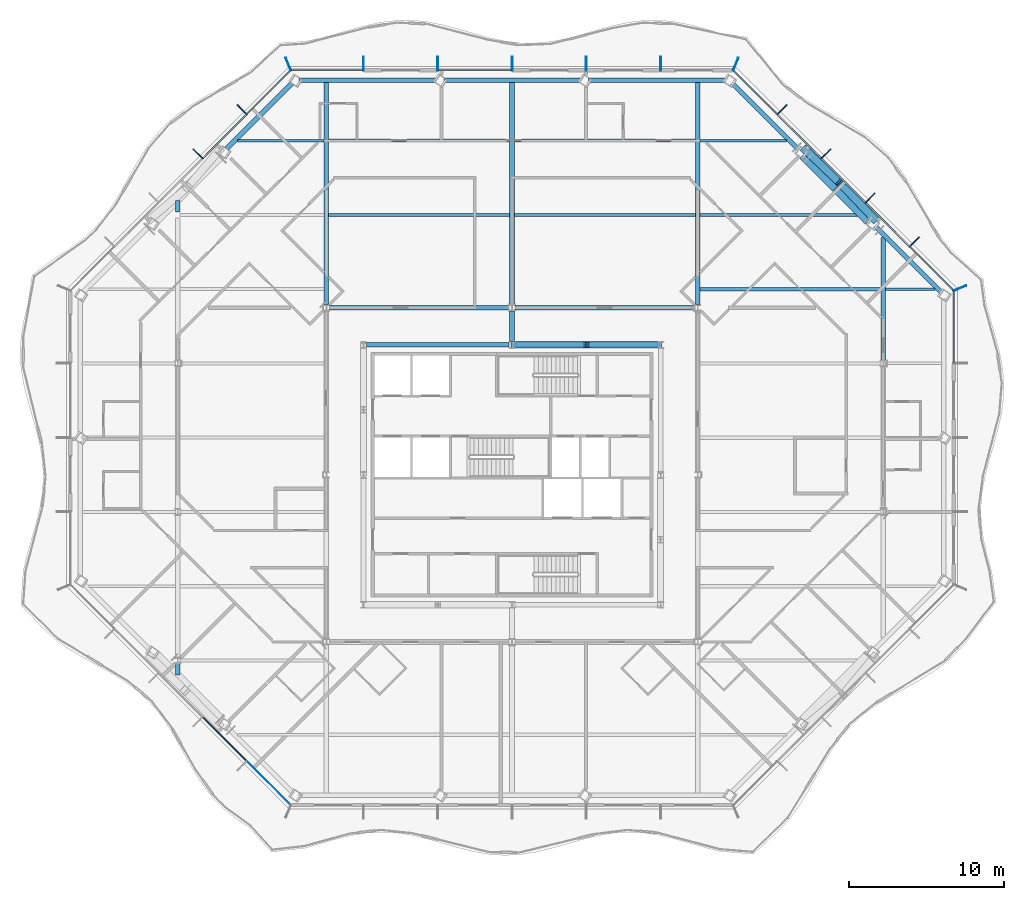
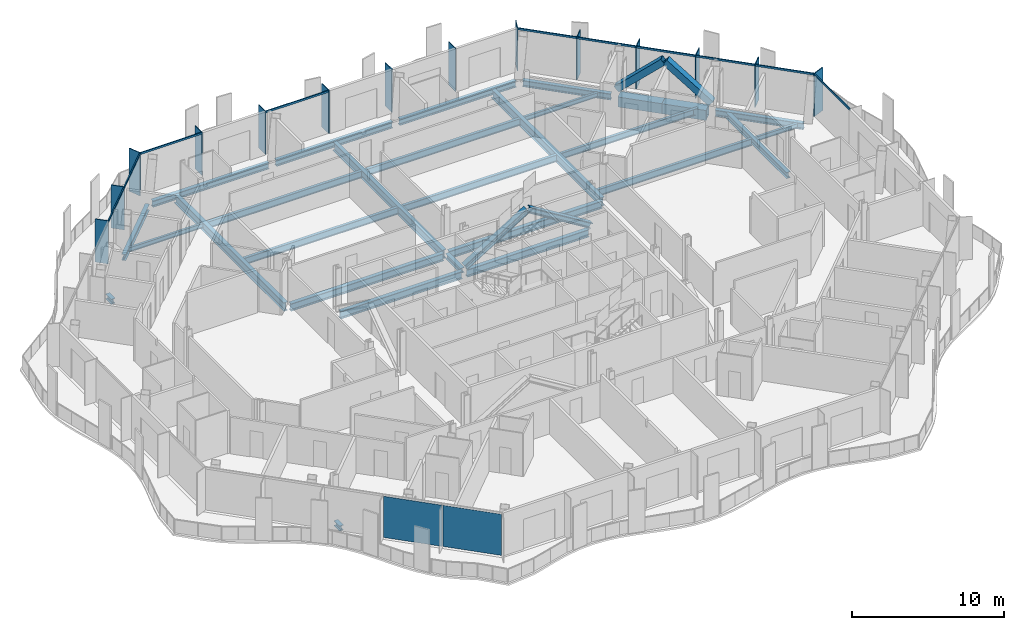
# One storey, part 5 of 21: 28 beams, 28 members, 2 plates, 5 elements without a shape of their own.
"""IFC4 building model written with IfcOpenShell, lengths in metres."""

import ifcopenshell
import ifcopenshell.guid

model = None  # the IFC model being written
_history = None  # IfcOwnerHistory: only IFC2X3 demands one
_inside = {}  # id of a spatial element -> (the spatial element, [elements in it])
_under = {}  # id of a project, library or spatial element -> (it, [spatial elements below it])
_declared = {}  # id of a project -> (the project, [libraries it declares])
_typed = {}  # id of a type object -> (the type object, [elements of that type])
_made_of = {}  # id of a material, layer set ... -> (it, [elements and type objects made of it])


def new_model(schema):
    """Start an empty IFC model of exactly this schema.

    Asked for "IFC4X3", IfcOpenShell would pick the latest addendum, in which some entities
    have other attributes; the version numbers below select the first issue.
    IFC2X3 requires an IfcOwnerHistory on every rooted entity: one is made here for all.
    """
    global model, _history
    if schema == "IFC4X3":
        model = ifcopenshell.file(schema_version=(4, 3, 0, 0))
    else:
        model = ifcopenshell.file(schema=schema)
    _inside.clear()
    _under.clear()
    _declared.clear()
    _typed.clear()
    _made_of.clear()
    _history = None
    if model.schema == "IFC2X3":
        org = make("IfcOrganization", Name="unknown")
        user = make(
            "IfcPersonAndOrganization",
            ThePerson=make("IfcPerson", FamilyName="unknown"),
            TheOrganization=org,
        )
        app = make(
            "IfcApplication",
            ApplicationDeveloper=org,
            Version="unknown",
            ApplicationFullName="unknown",
            ApplicationIdentifier="unknown",
        )
        _history = make(
            "IfcOwnerHistory",
            OwningUser=user,
            OwningApplication=app,
            ChangeAction="ADDED",
            CreationDate=0,
        )
    return model


def make(cls, **values):
    """One entity of the class cls with the attributes given. An attribute that is None is left unset."""
    return model.create_entity(
        cls, **{name: value for name, value in values.items() if value is not None}
    )


def rooted(cls, **values):
    """An entity with a GlobalId (a new one), such as an element, a storey or a relation."""
    return make(cls, GlobalId=ifcopenshell.guid.new(), OwnerHistory=_history, **values)


def si_unit(unit_type, name, prefix=None):
    """IfcSIUnit, for example si_unit("LENGTHUNIT", "METRE", prefix="MILLI")."""
    return make("IfcSIUnit", UnitType=unit_type, Prefix=prefix, Name=name)


def assignment(units):
    """IfcUnitAssignment: the units of a project."""
    return None if units is None else make("IfcUnitAssignment", Units=units)


def point(xyz):
    """IfcCartesianPoint."""
    return None if xyz is None else make("IfcCartesianPoint", Coordinates=xyz)


def direction(xyz):
    """IfcDirection."""
    return None if xyz is None else make("IfcDirection", DirectionRatios=xyz)


def frame(location, z_axis=None, x_axis=None):
    """IfcAxis2Placement3D, a coordinate frame: its origin and axes. An axis left out is left unset."""
    return make(
        "IfcAxis2Placement3D",
        Location=point(location),
        Axis=direction(z_axis),
        RefDirection=direction(x_axis),
    )


def frame_2d(location, x_axis=None):
    """IfcAxis2Placement2D, a coordinate frame in the plane: its origin and x axis."""
    return make(
        "IfcAxis2Placement2D", Location=point(location), RefDirection=direction(x_axis)
    )


def origin():
    """The frame at (0, 0, 0) with its axes left unset."""
    return frame((0.0, 0.0, 0.0))


def origin_2d():
    """The frame at (0, 0) in the plane with its x axis left unset."""
    return frame_2d((0.0, 0.0))


def place(relative_to, where):
    """IfcLocalPlacement: puts the frame where relative to a parent placement (None: the world)."""
    return make(
        "IfcLocalPlacement", PlacementRelTo=relative_to, RelativePlacement=where
    )


def context(
    kind, dimensions, precision=None, world=None, true_north=None, identifier=None
):
    """IfcGeometricRepresentationContext, for example the 3D "Model" context."""
    return make(
        "IfcGeometricRepresentationContext",
        ContextIdentifier=identifier,
        ContextType=kind,
        CoordinateSpaceDimension=dimensions,
        Precision=precision,
        WorldCoordinateSystem=world,
        TrueNorth=true_north,
    )


def subcontext(parent, identifier, kind, view, scale=None):
    """IfcGeometricRepresentationSubContext, for example "Body" below "Model"."""
    return make(
        "IfcGeometricRepresentationSubContext",
        ContextIdentifier=identifier,
        ContextType=kind,
        ParentContext=parent,
        TargetScale=scale,
        TargetView=view,
    )


def project(units=None, contexts=None):
    """IfcProject with its units and contexts."""
    return rooted(
        "IfcProject",
        Name="project",
        RepresentationContexts=contexts,
        UnitsInContext=assignment(units),
    )


def spatial(cls, under=None, at=None, **own):
    """A site, building, storey or space (cls), placed at a placement, below another one or the project."""
    s = rooted(cls, ObjectPlacement=at, **own)
    if under is not None:
        _under.setdefault(under.id(), (under, []))[1].append(s)
    return s


def profile(cls, at=None, kind="AREA", **sizes):
    """A parametric profile (cls). Its sizes go by their IFC names, for example OverallWidth=200.0."""
    return make(cls, ProfileType=kind, Position=at, **sizes)


def rectangle(**sizes):
    """IfcRectangleProfileDef."""
    return profile("IfcRectangleProfileDef", **sizes)


def hollow_rectangle(**sizes):
    """IfcRectangleHollowProfileDef."""
    return profile("IfcRectangleHollowProfileDef", **sizes)


def i_section(**sizes):
    """IfcIShapeProfileDef."""
    return profile("IfcIShapeProfileDef", **sizes)


def extrude(swept, where, along, depth):
    """IfcExtrudedAreaSolid: the profile swept, set in the frame where, extruded along a direction by depth."""
    return make(
        "IfcExtrudedAreaSolid",
        SweptArea=swept,
        Position=where,
        ExtrudedDirection=direction(along),
        Depth=depth,
    )


def shape(context_of_items, identifier, shape_type, items):
    """IfcShapeRepresentation: the items that make up one representation, for example the "Body"."""
    return make(
        "IfcShapeRepresentation",
        ContextOfItems=context_of_items,
        RepresentationIdentifier=identifier,
        RepresentationType=shape_type,
        Items=items,
    )


def material(Name=None, Category=None):
    """IfcMaterial."""
    return make("IfcMaterial", Name=Name, Category=Category)


def layer(
    of_material, thickness, ventilated=None, Name=None, Category=None, Priority=None
):
    """IfcMaterialLayer: one layer of a wall or slab, of a material (None: an air gap)."""
    return make(
        "IfcMaterialLayer",
        Material=of_material,
        LayerThickness=thickness,
        IsVentilated=ventilated,
        Name=Name,
        Category=Category,
        Priority=Priority,
    )


def layer_set(layers, Name=None):
    """IfcMaterialLayerSet."""
    return make("IfcMaterialLayerSet", MaterialLayers=layers, LayerSetName=Name)


def material_profile(
    of_material, cross_section, Name=None, Category=None, Priority=None
):
    """IfcMaterialProfile: a cross section and its material."""
    return make(
        "IfcMaterialProfile",
        Name=Name,
        Material=of_material,
        Profile=cross_section,
        Priority=Priority,
        Category=Category,
    )


def profile_set(profiles, Name=None, composite=None):
    """IfcMaterialProfileSet."""
    return make(
        "IfcMaterialProfileSet",
        Name=Name,
        MaterialProfiles=profiles,
        CompositeProfile=composite,
    )


def made_of(thing, what):
    """Note that an element or type object is made of a material, layer set ...; save() writes the relation."""
    if what is not None:
        _made_of.setdefault(what.id(), (what, []))[1].append(thing)
    return thing


def type_object(cls, material=None, **own):
    """A type object (cls), such as IfcWallType, which elements share."""
    return made_of(rooted(cls, **own), material)


def element(
    cls,
    number,
    at=None,
    inside=None,
    cuts=None,
    type_object=None,
    material=None,
    context=None,
    identifier="Body",
    shape_type=None,
    held_by="IfcProductDefinitionShape",
    body=None,
    shapes=None,
    **own,
):
    """One element of the class cls, such as IfcWall. Its Tag is "e" and its number.

    at: its placement. inside: the storey or other place that contains it. cuts: it is an
    opening in that element (IfcRelVoidsElement). A single representation is given by context,
    identifier, shape_type and body (its items); several are given by shapes. held_by: the class
    of the entity that holds the representations. save() writes the other relations.
    """
    e = rooted(cls, Tag="e%d" % number, ObjectPlacement=at, **own)
    if body is not None:
        shapes = [shape(context, identifier, shape_type, body)]
    if shapes is not None:
        e.Representation = make(held_by, Representations=shapes)
    if inside is not None:
        _inside.setdefault(inside.id(), (inside, []))[1].append(e)
    if cuts is not None:
        rooted(
            "IfcRelVoidsElement", RelatingBuildingElement=cuts, RelatedOpeningElement=e
        )
    if type_object is not None:
        _typed.setdefault(type_object.id(), (type_object, []))[1].append(e)
    return made_of(e, material)


def aggregate(whole, parts):
    """IfcRelAggregates: a whole, such as a stair, and the parts it consists of."""
    return rooted("IfcRelAggregates", RelatingObject=whole, RelatedObjects=parts)


def save(model, path):
    """Write the relations noted so far, then the file.

    IfcRelAggregates (storeys below a building ...), IfcRelContainedInSpatialStructure (elements
    in a storey), IfcRelDefinesByType, IfcRelAssociatesMaterial and IfcRelDeclares: one each for
    every whole, place, type object, material and project.
    """
    for whole, parts in _under.values():
        aggregate(whole, parts)
    for where, things in _inside.values():
        rooted(
            "IfcRelContainedInSpatialStructure",
            RelatedElements=things,
            RelatingStructure=where,
        )
    for kind, things in _typed.values():
        rooted("IfcRelDefinesByType", RelatedObjects=things, RelatingType=kind)
    for what, things in _made_of.values():
        rooted("IfcRelAssociatesMaterial", RelatedObjects=things, RelatingMaterial=what)
    for by, libraries in _declared.values():
        rooted("IfcRelDeclares", RelatingContext=by, RelatedDefinitions=libraries)
    model.write(path)


model = new_model("IFC4")

# Units and contexts
model_context = context("Model", 3, precision=1e-05, world=origin(), true_north=direction((0.0, 1.0)))
body_context = subcontext(model_context, "Body", "Model", "MODEL_VIEW")
ifc_project = project(units=[si_unit("LENGTHUNIT", "METRE"), si_unit("AREAUNIT", "SQUARE_METRE"), si_unit("VOLUMEUNIT", "CUBIC_METRE"), si_unit("PLANEANGLEUNIT", "RADIAN"), si_unit("MASSUNIT", "GRAM", prefix="KILO")], contexts=[model_context])

# Site, building, storey
site_placement = place(None, origin())
site = spatial("IfcSite", under=ifc_project, at=site_placement, CompositionType="ELEMENT")
building_placement = place(site_placement, origin())
building = spatial("IfcBuilding", under=site, at=building_placement, Name="Cairn Pilgrim Tower", CompositionType="ELEMENT")
storey_placement = place(building_placement, frame((0.0, 0.0, 172.199951171875)))
storey = spatial("IfcBuildingStorey", under=building, at=storey_placement, Name="L43", CompositionType="ELEMENT", Elevation=172.199951171875)

# Members
ifc_material_1 = material(Name="Structural steel S460M", Category="steel")
ifc_material_profile_1 = material_profile(ifc_material_1, hollow_rectangle(XDim=0.5, YDim=0.5, WallThickness=0.030029296875, at=origin_2d()), Name="BOX 500x500x30")
ifc_profile_set_1 = profile_set([ifc_material_profile_1], Name="Structural steel S460M")
member_type_1 = type_object("IfcMemberType", Name="BOX 500x500x30 BRACE", PredefinedType="BRACE", material=ifc_profile_set_1)
member_1_placement = place(storey_placement, frame((30.644287109375, 18.896484375, 0.14990234375), z_axis=(-0.523066061626, 0.550268081904, 0.650850930101), x_axis=(-0.724794598877, -0.688965013218, 0.0)))
element("IfcMember", 1, at=member_1_placement, inside=storey, type_object=member_type_1, Name="XB-NE2-NE3-1", PredefinedType="BRACE", context=body_context, shape_type="SweptSolid", body=[
    extrude(hollow_rectangle(XDim=0.5, YDim=0.5, WallThickness=0.030029296875, at=origin_2d()), origin(), (0.0, 0.0, 1.0), 4.155517578125),
])
member_2_placement = place(storey_placement, frame((26.10498046875, 23.447021484375, 0.150390625), z_axis=(0.548688036921, -0.524167309089, 0.651298756503), x_axis=(0.690765051326, 0.723079279102, 0.0)))
element("IfcMember", 2, at=member_2_placement, inside=storey, type_object=member_type_1, Name="XB-NE2-NE3-2", PredefinedType="BRACE", context=body_context, shape_type="SweptSolid", body=[
    extrude(hollow_rectangle(XDim=0.5, YDim=0.5, WallThickness=0.030029296875, at=origin_2d()), origin(), (0.0, 0.0, 1.0), 4.15185546875),
])

# Beams
ifc_material_2 = material(Name="Structural steel S355J2", Category="steel")
ifc_material_profile_2 = material_profile(ifc_material_2, hollow_rectangle(XDim=0.699951171875, YDim=0.800048828125, WallThickness=0.0400390625, at=origin_2d()), Name="BOX 700x800x40")
ifc_profile_set_2 = profile_set([ifc_material_profile_2], Name="Structural steel S355J2")
beam_type_1 = type_object("IfcBeamType", Name="BOX 700x800x40 RING GIRDER", PredefinedType="SPANDREL", material=ifc_profile_set_2)
beam_1_placement = place(storey_placement, frame((30.284912109375, 18.84228515625, -0.550048828125), z_axis=(-0.707106781187, 0.707106781187, 0.0), x_axis=(-0.707106781187, -0.707106781187, 0.0)))
element("IfcBeam", 3, at=beam_1_placement, inside=storey, type_object=beam_type_1, Name="RG2-NE2-NE3-1", PredefinedType="SPANDREL", context=body_context, shape_type="SweptSolid", body=[
    extrude(hollow_rectangle(XDim=0.699951171875, YDim=0.800048828125, WallThickness=0.0400390625, at=origin_2d()), origin(), (0.0, 0.0, 1.0), 3.0),
])
beam_2_placement = place(storey_placement, frame((28.16357421875, 20.963623046875, -0.550048828125), z_axis=(-0.707106781187, 0.707106781187, 0.0), x_axis=(-0.707106781187, -0.707106781187, 0.0)))
element("IfcBeam", 4, at=beam_2_placement, inside=storey, type_object=beam_type_1, Name="RG2-NE2-NE3-2", PredefinedType="SPANDREL", context=body_context, shape_type="SweptSolid", body=[
    extrude(hollow_rectangle(XDim=0.699951171875, YDim=0.800048828125, WallThickness=0.0400390625, at=origin_2d()), origin(), (0.0, 0.0, 1.0), 2.999755859375),
])

# Curtain wall, members
ifc_material_3 = material(Name="Aluminium alloy 6063-T6 bronze anodised with Bronze tinted laminated low-E glass 8+16+8.8", Category="aluminium")
curtain_wall_type_1 = type_object("IfcCurtainWallType", Name="CHAMFER CORNER CURTAIN WALL", PredefinedType="NOTDEFINED", material=ifc_material_3)
curtain_wall_1_placement = place(storey_placement, origin())
curtain_wall_1 = element("IfcCurtainWall", 5, at=curtain_wall_1_placement, inside=storey, type_object=curtain_wall_type_1, Name="Chamfer Corner Curtain Wall NE", PredefinedType="NOTDEFINED")
ifc_material_4 = material(Name="Aluminium alloy 6063-T6 bronze anodised", Category="aluminium")
ifc_material_profile_3 = material_profile(ifc_material_4, rectangle(XDim=0.89990234375, YDim=0.06005859375, at=origin_2d()), Name="FIN MULLION 60x900 BRONZE")
ifc_profile_set_3 = profile_set([ifc_material_profile_3], Name="Aluminium alloy 6063-T6 bronze anodised")
member_type_2 = type_object("IfcMemberType", Name="FIN MULLION 60x900 BRONZE", PredefinedType="MULLION", material=ifc_profile_set_3)
member_3_placement = place(storey_placement, frame((36.137939453125, 14.457275390625, 0.0), z_axis=(0.0, 0.0, 1.0), x_axis=(0.923879532511, 0.382683432365, 0.0)))
member_3 = element("IfcMember", 6, at=member_3_placement, type_object=member_type_2, Name="Fin mullion NE1", PredefinedType="MULLION", context=body_context, shape_type="SweptSolid", body=[
    extrude(rectangle(XDim=0.89990234375, YDim=0.06005859375, at=origin_2d()), origin(), (0.0, 0.0, 1.0), 3.449951171875),
])
member_4_placement = place(storey_placement, frame((33.1962890625, 17.444091796875, 0.0), z_axis=(0.0, 0.0, 1.0), x_axis=(0.707106781187, 0.707106781187, 0.0)))
member_4 = element("IfcMember", 7, at=member_4_placement, type_object=member_type_2, Name="Fin mullion NE2", PredefinedType="MULLION", context=body_context, shape_type="SweptSolid", body=[
    extrude(rectangle(XDim=0.89990234375, YDim=0.06005859375, at=origin_2d()), origin(), (0.0, 0.0, 1.0), 3.449951171875),
])
member_5_placement = place(storey_placement, frame((30.345458984375, 20.294921875, 0.0), z_axis=(0.0, 0.0, 1.0), x_axis=(0.707106781187, 0.707106781187, 0.0)))
member_5 = element("IfcMember", 8, at=member_5_placement, type_object=member_type_2, Name="Fin mullion NE3", PredefinedType="MULLION", context=body_context, shape_type="SweptSolid", body=[
    extrude(rectangle(XDim=0.89990234375, YDim=0.06005859375, at=origin_2d()), origin(), (0.0, 0.0, 1.0), 3.449951171875),
])
member_6_placement = place(storey_placement, frame((27.494873046875, 23.1455078125, 0.0), z_axis=(0.0, 0.0, 1.0), x_axis=(0.707106781187, 0.707106781187, 0.0)))
member_6 = element("IfcMember", 9, at=member_6_placement, type_object=member_type_2, Name="Fin mullion NE4", PredefinedType="MULLION", context=body_context, shape_type="SweptSolid", body=[
    extrude(rectangle(XDim=0.89990234375, YDim=0.06005859375, at=origin_2d()), origin(), (0.0, 0.0, 1.0), 3.449951171875),
])
member_7_placement = place(storey_placement, frame((24.64404296875, 25.996337890625, 0.0), z_axis=(0.0, 0.0, 1.0), x_axis=(0.707106781187, 0.707106781187, 0.0)))
member_7 = element("IfcMember", 10, at=member_7_placement, type_object=member_type_2, Name="Fin mullion NE5", PredefinedType="MULLION", context=body_context, shape_type="SweptSolid", body=[
    extrude(rectangle(XDim=0.89990234375, YDim=0.06005859375, at=origin_2d()), origin(), (0.0, 0.0, 1.0), 3.449951171875),
])

curtain_wall_type_2 = type_object("IfcCurtainWallType", Name="TOWER STICK CURTAIN WALL NS", PredefinedType="NOTDEFINED", material=ifc_material_3)
curtain_wall_2_placement = place(storey_placement, origin())
curtain_wall_2 = element("IfcCurtainWall", 11, at=curtain_wall_2_placement, inside=storey, type_object=curtain_wall_type_2, Name="Tower Stick Curtain Wall Ns N", PredefinedType="NOTDEFINED")
member_8_placement = place(storey_placement, frame((21.6572265625, 28.93798828125, 0.0), z_axis=(0.0, 0.0, 1.0), x_axis=(0.382683432365, 0.923879532511, 0.0)))
member_8 = element("IfcMember", 12, at=member_8_placement, type_object=member_type_2, Name="Fin mullion N1", PredefinedType="MULLION", context=body_context, shape_type="SweptSolid", body=[
    extrude(rectangle(XDim=0.89990234375, YDim=0.06005859375, at=origin_2d()), origin(), (0.0, 0.0, 1.0), 3.449951171875),
])
member_9_placement = place(storey_placement, frame((16.800048828125, 28.969970703125, 0.0), z_axis=(0.0, 0.0, 1.0), x_axis=(0.0, 1.0, 0.0)))
member_9 = element("IfcMember", 13, at=member_9_placement, type_object=member_type_2, Name="Fin mullion N2", PredefinedType="MULLION", context=body_context, shape_type="SweptSolid", body=[
    extrude(rectangle(XDim=0.89990234375, YDim=0.06005859375, at=origin_2d()), origin(), (0.0, 0.0, 1.0), 3.449951171875),
])
member_10_placement = place(storey_placement, frame((12.0, 28.969970703125, 0.0), z_axis=(0.0, 0.0, 1.0), x_axis=(0.0, 1.0, 0.0)))
member_10 = element("IfcMember", 14, at=member_10_placement, type_object=member_type_2, Name="Fin mullion N3", PredefinedType="MULLION", context=body_context, shape_type="SweptSolid", body=[
    extrude(rectangle(XDim=0.89990234375, YDim=0.06005859375, at=origin_2d()), origin(), (0.0, 0.0, 1.0), 3.449951171875),
])
member_11_placement = place(storey_placement, frame((7.199951171875, 28.969970703125, 0.0), z_axis=(0.0, 0.0, 1.0), x_axis=(0.0, 1.0, 0.0)))
member_11 = element("IfcMember", 15, at=member_11_placement, type_object=member_type_2, Name="Fin mullion N4", PredefinedType="MULLION", context=body_context, shape_type="SweptSolid", body=[
    extrude(rectangle(XDim=0.89990234375, YDim=0.06005859375, at=origin_2d()), origin(), (0.0, 0.0, 1.0), 3.449951171875),
])
member_12_placement = place(storey_placement, frame((2.39990234375, 28.969970703125, 0.0), z_axis=(0.0, 0.0, 1.0), x_axis=(0.0, 1.0, 0.0)))
member_12 = element("IfcMember", 16, at=member_12_placement, type_object=member_type_2, Name="Fin mullion N5", PredefinedType="MULLION", context=body_context, shape_type="SweptSolid", body=[
    extrude(rectangle(XDim=0.89990234375, YDim=0.06005859375, at=origin_2d()), origin(), (0.0, 0.0, 1.0), 3.449951171875),
])
member_13_placement = place(storey_placement, frame((-2.39990234375, 28.969970703125, 0.0), z_axis=(0.0, 0.0, 1.0), x_axis=(0.0, 1.0, 0.0)))
member_13 = element("IfcMember", 17, at=member_13_placement, type_object=member_type_2, Name="Fin mullion N6", PredefinedType="MULLION", context=body_context, shape_type="SweptSolid", body=[
    extrude(rectangle(XDim=0.89990234375, YDim=0.06005859375, at=origin_2d()), origin(), (0.0, 0.0, 1.0), 3.449951171875),
])

curtain_wall_3_placement = place(storey_placement, origin())
curtain_wall_3 = element("IfcCurtainWall", 18, at=curtain_wall_3_placement, inside=storey, type_object=curtain_wall_type_1, Name="Chamfer Corner Curtain Wall NW", PredefinedType="NOTDEFINED")
member_14_placement = place(storey_placement, frame((-7.257080078125, 28.93798828125, 0.0), z_axis=(0.0, 0.0, 1.0), x_axis=(-0.382683432365, 0.923879532511, 0.0)))
member_14 = element("IfcMember", 19, at=member_14_placement, type_object=member_type_2, Name="Fin mullion NW1", PredefinedType="MULLION", context=body_context, shape_type="SweptSolid", body=[
    extrude(rectangle(XDim=0.89990234375, YDim=0.06005859375, at=origin_2d()), origin(), (0.0, 0.0, 1.0), 3.449951171875),
])
member_15_placement = place(storey_placement, frame((-10.244140625, 25.996337890625, 0.0), z_axis=(0.0, 0.0, 1.0), x_axis=(-0.707106781187, 0.707106781187, 0.0)))
member_15 = element("IfcMember", 20, at=member_15_placement, type_object=member_type_2, Name="Fin mullion NW2", PredefinedType="MULLION", context=body_context, shape_type="SweptSolid", body=[
    extrude(rectangle(XDim=0.89990234375, YDim=0.06005859375, at=origin_2d()), origin(), (0.0, 0.0, 1.0), 3.449951171875),
])
member_16_placement = place(storey_placement, frame((-13.094970703125, 23.1455078125, 0.0), z_axis=(0.0, 0.0, 1.0), x_axis=(-0.707106781187, 0.707106781187, 0.0)))
member_16 = element("IfcMember", 21, at=member_16_placement, type_object=member_type_2, Name="Fin mullion NW3", PredefinedType="MULLION", context=body_context, shape_type="SweptSolid", body=[
    extrude(rectangle(XDim=0.89990234375, YDim=0.06005859375, at=origin_2d()), origin(), (0.0, 0.0, 1.0), 3.449951171875),
])

# Members
ifc_material_profile_4 = material_profile(ifc_material_1, i_section(OverallWidth=0.408935546875, OverallDepth=0.425048828125, WebThickness=0.03271484375, FlangeThickness=0.052490234375, FilletRadius=0.014892578125, at=origin_2d()), Name="HD 400x421")
ifc_profile_set_4 = profile_set([ifc_material_profile_4], Name="Structural steel S460M")
member_type_3 = type_object("IfcMemberType", Name="HD 400x421 BRACE", PredefinedType="BRACE", material=ifc_profile_set_4)
for number, where, z_axis, x_axis, name in (
    (22, (16.75830078125, 10.800048828125, 0.10009765625), (-0.851119565216, 0.0, 0.524971890397), (0.0, -1.0, 0.0), "KB-3A"),
    (23, (7.24169921875, 10.800048828125, 0.10009765625), (0.851119565216, 0.0, 0.524971890397), (0.0, 1.0, 0.0), "KB-3B"),
):
    element("IfcMember", number, at=place(storey_placement, frame(where, z_axis=z_axis, x_axis=x_axis)), inside=storey, type_object=member_type_3, Name=name, PredefinedType="BRACE", context=body_context, shape_type="SweptSolid", body=[
        extrude(i_section(OverallWidth=0.408935546875, OverallDepth=0.425048828125, WebThickness=0.03271484375, FlangeThickness=0.052490234375, FilletRadius=0.014892578125, at=origin_2d()), origin(), (0.0, 0.0, 1.0), 5.528076171875),
    ])

# Beams
ifc_material_profile_5 = material_profile(ifc_material_2, i_section(OverallWidth=0.300048828125, OverallDepth=0.39990234375, WebThickness=0.013427734375, FlangeThickness=0.02392578125, FilletRadius=0.027099609375, at=origin_2d()), Name="HEB 400")
ifc_profile_set_5 = profile_set([ifc_material_profile_5], Name="Structural steel S355J2")
beam_type_2 = type_object("IfcBeamType", Name="HEB 400 GIRDER", PredefinedType="BEAM", material=ifc_profile_set_5)
for number, where, z_axis, x_axis, name in (
    (24, (-14.39990234375, -10.545166015625, -0.349853515625), (0.0, 1.0, 0.0), (-1.0, 0.0, 0.0), "PG1-E1"),
    (25, (-14.39990234375, 19.3994140625, -0.349853515625), (0.0, 1.0, 0.0), (-1.0, 0.0, 0.0), "PG1-E2"),
):
    element("IfcBeam", number, at=place(storey_placement, frame(where, z_axis=z_axis, x_axis=x_axis)), inside=storey, type_object=beam_type_2, Name=name, PredefinedType="BEAM", context=body_context, shape_type="SweptSolid", body=[
        extrude(i_section(OverallWidth=0.300048828125, OverallDepth=0.39990234375, WebThickness=0.013427734375, FlangeThickness=0.02392578125, FilletRadius=0.027099609375, at=origin_2d()), origin(), (0.0, 0.0, 1.0), 0.74560546875),
    ])
beam_3_placement = place(storey_placement, frame((7.199951171875, 11.008056640625, -0.349853515625), z_axis=(0.0, 1.0, 0.0), x_axis=(-1.0, 0.0, 0.0)))
element("IfcBeam", 26, at=beam_3_placement, inside=storey, type_object=beam_type_2, Name="PG3-E2", PredefinedType="BEAM", context=body_context, shape_type="SweptSolid", body=[
    extrude(i_section(OverallWidth=0.300048828125, OverallDepth=0.39990234375, WebThickness=0.013427734375, FlangeThickness=0.02392578125, FilletRadius=0.027099609375, at=origin_2d()), origin(), (0.0, 0.0, 1.0), 1.992431640625),
])
ifc_material_profile_6 = material_profile(ifc_material_2, i_section(OverallWidth=0.300048828125, OverallDepth=0.5, WebThickness=0.014404296875, FlangeThickness=0.028076171875, FilletRadius=0.027099609375, at=origin_2d()), Name="HEB 500")
ifc_profile_set_6 = profile_set([ifc_material_profile_6], Name="Structural steel S355J2")
beam_type_3 = type_object("IfcBeamType", Name="HEB 500 GIRDER", PredefinedType="BEAM", material=ifc_profile_set_6)
beam_4_placement = place(storey_placement, frame((31.199951171875, 9.804443359375, -0.39990234375), z_axis=(0.0, 1.0, 0.0), x_axis=(-1.0, 0.0, 0.0)))
element("IfcBeam", 27, at=beam_4_placement, inside=storey, type_object=beam_type_3, Name="PG5-3", PredefinedType="BEAM", context=body_context, shape_type="SweptSolid", body=[
    extrude(i_section(OverallWidth=0.300048828125, OverallDepth=0.5, WebThickness=0.014404296875, FlangeThickness=0.028076171875, FilletRadius=0.027099609375, at=origin_2d()), origin(), (0.0, 0.0, 1.0), 7.940673828125),
])
ifc_material_profile_7 = material_profile(ifc_material_2, i_section(OverallWidth=0.300048828125, OverallDepth=0.5, WebThickness=0.014404296875, FlangeThickness=0.028076171875, FilletRadius=0.027099609375, at=origin_2d()), Name="HEB 500")
ifc_profile_set_7 = profile_set([ifc_material_profile_7], Name="Structural steel S355J2")
beam_type_4 = type_object("IfcBeamType", Name="HEB 500 RING GIRDER", PredefinedType="SPANDREL", material=ifc_profile_set_7)
beam_5_placement = place(storey_placement, frame((34.9091796875, 14.218017578125, -0.39990234375), z_axis=(-0.707086435425, 0.707127126363, 0.0), x_axis=(-0.707127126363, -0.707086435425, 0.0)))
element("IfcBeam", 28, at=beam_5_placement, inside=storey, type_object=beam_type_4, Name="RG2-NE1-NE2", PredefinedType="SPANDREL", context=body_context, shape_type="SweptSolid", body=[
    extrude(i_section(OverallWidth=0.300048828125, OverallDepth=0.5, WebThickness=0.014404296875, FlangeThickness=0.028076171875, FilletRadius=0.027099609375, at=origin_2d()), origin(), (0.0, 0.0, 1.0), 5.999755859375),
])
beam_6_placement = place(storey_placement, frame((25.66064453125, 23.466796875, -0.39990234375), z_axis=(-0.707127127534, 0.707086434254, 0.0), x_axis=(-0.707086434254, -0.707127127534, 0.0)))
element("IfcBeam", 29, at=beam_6_placement, inside=storey, type_object=beam_type_4, Name="RG2-NE3-N1", PredefinedType="SPANDREL", context=body_context, shape_type="SweptSolid", body=[
    extrude(i_section(OverallWidth=0.300048828125, OverallDepth=0.5, WebThickness=0.014404296875, FlangeThickness=0.028076171875, FilletRadius=0.027099609375, at=origin_2d()), origin(), (0.0, 0.0, 1.0), 5.99951171875),
])
for number, where, z_axis, x_axis, name in (
    (30, (20.957275390625, 27.89990234375, -0.39990234375), (-1.0, 0.0, 0.0), (0.0, -1.0, 0.0), "RG2-N1-N2"),
    (31, (11.605712890625, 27.89990234375, -0.39990234375), (-1.0, 0.0, 0.0), (0.0, -1.0, 0.0), "RG2-N2-N3"),
    (32, (2.25439453125, 27.89990234375, -0.39990234375), (-1.0, 0.0, 0.0), (0.0, -1.0, 0.0), "RG2-N3-NW1"),
):
    element("IfcBeam", number, at=place(storey_placement, frame(where, z_axis=z_axis, x_axis=x_axis)), inside=storey, type_object=beam_type_4, Name=name, PredefinedType="SPANDREL", context=body_context, shape_type="SweptSolid", body=[
        extrude(i_section(OverallWidth=0.300048828125, OverallDepth=0.5, WebThickness=0.014404296875, FlangeThickness=0.028076171875, FilletRadius=0.027099609375, at=origin_2d()), origin(), (0.0, 0.0, 1.0), 8.8115234375),
    ])
beam_7_placement = place(storey_placement, frame((-7.01806640625, 27.708984375, -0.39990234375), z_axis=(-0.707127127534, -0.707086434254, 0.0), x_axis=(0.707086434254, -0.707127127534, 0.0)))
element("IfcBeam", 33, at=beam_7_placement, inside=storey, type_object=beam_type_4, Name="RG2-NW1-NW2", PredefinedType="SPANDREL", context=body_context, shape_type="SweptSolid", body=[
    extrude(i_section(OverallWidth=0.300048828125, OverallDepth=0.5, WebThickness=0.014404296875, FlangeThickness=0.028076171875, FilletRadius=0.027099609375, at=origin_2d()), origin(), (0.0, 0.0, 1.0), 5.99951171875),
])
ifc_material_profile_8 = material_profile(ifc_material_2, i_section(OverallWidth=0.300048828125, OverallDepth=0.60009765625, WebThickness=0.015380859375, FlangeThickness=0.030029296875, FilletRadius=0.027099609375, at=origin_2d()), Name="HEB 600")
ifc_profile_set_8 = profile_set([ifc_material_profile_8], Name="Structural steel S355J2")
beam_type_5 = type_object("IfcBeamType", Name="HEB 600 CORE BEAM", PredefinedType="BEAM", material=ifc_profile_set_8)
for number, where, z_axis, x_axis, name in (
    (34, (16.61279296875, 10.800048828125, -0.449951171875), (-1.0, 0.0, 0.0), (0.0, -1.0, 0.0), "CB-5"),
    (35, (7.0126953125, 10.800048828125, -0.449951171875), (-1.0, 0.0, 0.0), (0.0, -1.0, 0.0), "CB-6"),
):
    element("IfcBeam", number, at=place(storey_placement, frame(where, z_axis=z_axis, x_axis=x_axis)), inside=storey, type_object=beam_type_5, Name=name, PredefinedType="BEAM", context=body_context, shape_type="SweptSolid", body=[
        extrude(i_section(OverallWidth=0.300048828125, OverallDepth=0.60009765625, WebThickness=0.015380859375, FlangeThickness=0.030029296875, FilletRadius=0.027099609375, at=origin_2d()), origin(), (0.0, 0.0, 1.0), 9.2255859375),
    ])
ifc_material_profile_9 = material_profile(ifc_material_2, i_section(OverallWidth=0.300048828125, OverallDepth=0.60009765625, WebThickness=0.015380859375, FlangeThickness=0.030029296875, FilletRadius=0.027099609375, at=origin_2d()), Name="HEB 600")
ifc_profile_set_9 = profile_set([ifc_material_profile_9], Name="Structural steel S355J2")
beam_type_6 = type_object("IfcBeamType", Name="HEB 600 INNER GIRDER", PredefinedType="BEAM", material=ifc_profile_set_9)
for number, where, z_axis, x_axis, name in (
    (36, (-4.6005859375, 13.199951171875, -0.449951171875), (1.0, 0.0, 0.0), (0.0, 1.0, 0.0), "IG2-1"),
    (37, (7.3994140625, 13.199951171875, -0.449951171875), (1.0, 0.0, 0.0), (0.0, 1.0, 0.0), "IG2-2"),
):
    element("IfcBeam", number, at=place(storey_placement, frame(where, z_axis=z_axis, x_axis=x_axis)), inside=storey, type_object=beam_type_6, Name=name, PredefinedType="BEAM", context=body_context, shape_type="SweptSolid", body=[
        extrude(i_section(OverallWidth=0.300048828125, OverallDepth=0.60009765625, WebThickness=0.015380859375, FlangeThickness=0.030029296875, FilletRadius=0.027099609375, at=origin_2d()), origin(), (0.0, 0.0, 1.0), 11.60107421875),
    ])
ifc_material_profile_10 = material_profile(ifc_material_2, i_section(OverallWidth=0.300048828125, OverallDepth=0.699951171875, WebThickness=0.01708984375, FlangeThickness=0.031982421875, FilletRadius=0.027099609375, at=origin_2d()), Name="HEB 700")
ifc_profile_set_10 = profile_set([ifc_material_profile_10], Name="Structural steel S355J2")
beam_type_7 = type_object("IfcBeamType", Name="HEB 700 GIRDER", PredefinedType="BEAM", material=ifc_profile_set_10)
for number, where, z_axis, x_axis, name in (
    (38, (-4.800048828125, 13.3994140625, -0.5), (0.0, 1.0, 0.0), (-1.0, 0.0, 0.0), "PG2-4"),
    (39, (7.199951171875, 13.3994140625, -0.5), (0.0, 1.0, 0.0), (-1.0, 0.0, 0.0), "PG3-2"),
    (40, (19.199951171875, 13.3994140625, -0.5), (0.0, 1.0, 0.0), (-1.0, 0.0, 0.0), "PG4-4"),
):
    element("IfcBeam", number, at=place(storey_placement, frame(where, z_axis=z_axis, x_axis=x_axis)), inside=storey, type_object=beam_type_7, Name=name, PredefinedType="BEAM", context=body_context, shape_type="SweptSolid", body=[
        extrude(i_section(OverallWidth=0.300048828125, OverallDepth=0.699951171875, WebThickness=0.01708984375, FlangeThickness=0.031982421875, FilletRadius=0.027099609375, at=origin_2d()), origin(), (0.0, 0.0, 1.0), 14.380615234375),
    ])
ifc_material_profile_11 = material_profile(ifc_material_2, i_section(OverallWidth=0.169921875, OverallDepth=0.360107421875, WebThickness=0.008056640625, FlangeThickness=0.0126953125, FilletRadius=0.01806640625, at=origin_2d()), Name="IPE 360")
ifc_profile_set_11 = profile_set([ifc_material_profile_11], Name="Structural steel S355J2")
beam_type_8 = type_object("IfcBeamType", Name="IPE 360 SECONDARY BEAM", PredefinedType="JOIST", material=ifc_profile_set_11)
beam_8_placement = place(storey_placement, frame((31.35009765625, 14.39990234375, -0.329833984375), z_axis=(1.0, 0.0, 0.0), x_axis=(0.0, 1.0, 0.0)))
element("IfcBeam", 41, at=beam_8_placement, inside=storey, type_object=beam_type_8, Name="SB7-4", PredefinedType="JOIST", context=body_context, shape_type="SweptSolid", body=[
    extrude(i_section(OverallWidth=0.169921875, OverallDepth=0.360107421875, WebThickness=0.008056640625, FlangeThickness=0.0126953125, FilletRadius=0.01806640625, at=origin_2d()), origin(), (0.0, 0.0, 1.0), 3.195068359375),
])
beam_9_placement = place(storey_placement, frame((-10.545166015625, 24.0, -0.329833984375), z_axis=(1.0, 0.0, 0.0), x_axis=(0.0, 1.0, 0.0)))
element("IfcBeam", 42, at=beam_9_placement, inside=storey, type_object=beam_type_8, Name="SB9-1", PredefinedType="JOIST", context=body_context, shape_type="SweptSolid", body=[
    extrude(i_section(OverallWidth=0.169921875, OverallDepth=0.360107421875, WebThickness=0.008056640625, FlangeThickness=0.0126953125, FilletRadius=0.01806640625, at=origin_2d()), origin(), (0.0, 0.0, 1.0), 5.59521484375),
])
beam_10_placement = place(storey_placement, frame((19.35009765625, 24.0, -0.329833984375), z_axis=(1.0, 0.0, 0.0), x_axis=(0.0, 1.0, 0.0)))
element("IfcBeam", 43, at=beam_10_placement, inside=storey, type_object=beam_type_8, Name="SB9-4", PredefinedType="JOIST", context=body_context, shape_type="SweptSolid", body=[
    extrude(i_section(OverallWidth=0.169921875, OverallDepth=0.360107421875, WebThickness=0.008056640625, FlangeThickness=0.0126953125, FilletRadius=0.01806640625, at=origin_2d()), origin(), (0.0, 0.0, 1.0), 5.594970703125),
])
ifc_material_profile_12 = material_profile(ifc_material_2, i_section(OverallWidth=0.199951171875, OverallDepth=0.5, WebThickness=0.01025390625, FlangeThickness=0.01611328125, FilletRadius=0.02099609375, at=origin_2d()), Name="IPE 500")
ifc_profile_set_12 = profile_set([ifc_material_profile_12], Name="Structural steel S355J2")
beam_type_9 = type_object("IfcBeamType", Name="IPE 500 SECONDARY BEAM", PredefinedType="JOIST", material=ifc_profile_set_12)
beam_11_placement = place(storey_placement, frame((19.35009765625, 19.199951171875, -0.39990234375), z_axis=(1.0, 0.0, 0.0), x_axis=(0.0, 1.0, 0.0)))
element("IfcBeam", 44, at=beam_11_placement, inside=storey, type_object=beam_type_9, Name="SB8-4", PredefinedType="JOIST", context=body_context, shape_type="SweptSolid", body=[
    extrude(i_section(OverallWidth=0.199951171875, OverallDepth=0.5, WebThickness=0.01025390625, FlangeThickness=0.01611328125, FilletRadius=0.02099609375, at=origin_2d()), origin(), (0.0, 0.0, 1.0), 10.39501953125),
])
ifc_material_profile_13 = material_profile(ifc_material_2, i_section(OverallWidth=0.2099609375, OverallDepth=0.550048828125, WebThickness=0.010986328125, FlangeThickness=0.01708984375, FilletRadius=0.02392578125, at=origin_2d()), Name="IPE 550")
ifc_profile_set_13 = profile_set([ifc_material_profile_13], Name="Structural steel S355J2")
beam_type_10 = type_object("IfcBeamType", Name="IPE 550 SECONDARY BEAM", PredefinedType="JOIST", material=ifc_profile_set_13)
for number, where, z_axis, x_axis, name in (
    (45, (19.35009765625, 14.39990234375, -0.425048828125), (1.0, 0.0, 0.0), (0.0, 1.0, 0.0), "SB7-3"),
    (46, (-4.64990234375, 19.199951171875, -0.425048828125), (1.0, 0.0, 0.0), (0.0, 1.0, 0.0), "SB8-2"),
    (47, (7.35009765625, 19.199951171875, -0.425048828125), (1.0, 0.0, 0.0), (0.0, 1.0, 0.0), "SB8-3"),
    (48, (-4.64990234375, 24.0, -0.425048828125), (1.0, 0.0, 0.0), (0.0, 1.0, 0.0), "SB9-2"),
    (49, (7.35009765625, 24.0, -0.425048828125), (1.0, 0.0, 0.0), (0.0, 1.0, 0.0), "SB9-3"),
):
    element("IfcBeam", number, at=place(storey_placement, frame(where, z_axis=z_axis, x_axis=x_axis)), inside=storey, type_object=beam_type_10, Name=name, PredefinedType="JOIST", context=body_context, shape_type="SweptSolid", body=[
        extrude(i_section(OverallWidth=0.2099609375, OverallDepth=0.550048828125, WebThickness=0.010986328125, FlangeThickness=0.01708984375, FilletRadius=0.02392578125, at=origin_2d()), origin(), (0.0, 0.0, 1.0), 11.699951171875),
    ])

# Curtain wall, member
curtain_wall_type_3 = type_object("IfcCurtainWallType", Name="TOWER STICK CURTAIN WALL EW", PredefinedType="NOTDEFINED", material=ifc_material_3)
curtain_wall_4_placement = place(storey_placement, origin())
curtain_wall_4 = element("IfcCurtainWall", 50, at=curtain_wall_4_placement, inside=storey, type_object=curtain_wall_type_3, Name="Tower Stick Curtain Wall Ew E", PredefinedType="NOTDEFINED")
ifc_material_profile_14 = material_profile(ifc_material_4, rectangle(XDim=0.080078125, YDim=0.14990234375, at=origin_2d()), Name="TRANSOM 80x150 BRONZE")
ifc_profile_set_14 = profile_set([ifc_material_profile_14], Name="Aluminium alloy 6063-T6 bronze anodised")
member_type_4 = type_object("IfcMemberType", Name="TRANSOM 80x150 BRONZE", PredefinedType="USERDEFINED", material=ifc_profile_set_14)
member_17_placement = place(storey_placement, frame((35.75, 9.6298828125, 3.375), z_axis=(0.0, 1.0, 0.0), x_axis=(-1.0, 0.0, 0.0)))
member_17 = element("IfcMember", 51, at=member_17_placement, type_object=member_type_4, Name="Transom E4", ObjectType="TRANSOM", PredefinedType="USERDEFINED", context=body_context, shape_type="SweptSolid", body=[
    extrude(rectangle(XDim=0.080078125, YDim=0.14990234375, at=origin_2d()), origin(), (0.0, 0.0, 1.0), 4.62646484375),
])
aggregate(curtain_wall_4, [member_17])

# Member
member_18_placement = place(storey_placement, frame((35.7216796875, 14.32470703125, 3.375), z_axis=(-0.707106781187, 0.707106781187, 0.0), x_axis=(-0.707106781187, -0.707106781187, 0.0)))
member_18 = element("IfcMember", 52, at=member_18_placement, type_object=member_type_4, Name="Transom NE1", ObjectType="TRANSOM", PredefinedType="USERDEFINED", context=body_context, shape_type="SweptSolid", body=[
    extrude(rectangle(XDim=0.080078125, YDim=0.14990234375, at=origin_2d()), origin(), (0.0, 0.0, 1.0), 3.961669921875),
])

member_19_placement = place(storey_placement, frame((32.878173828125, 17.16845703125, 3.375), z_axis=(-0.70713751761, 0.707076043427, 0.0), x_axis=(-0.707076043427, -0.70713751761, 0.0)))
member_19 = element("IfcMember", 53, at=member_19_placement, type_object=member_type_4, Name="Transom NE2", ObjectType="TRANSOM", PredefinedType="USERDEFINED", context=body_context, shape_type="SweptSolid", body=[
    extrude(rectangle(XDim=0.080078125, YDim=0.14990234375, at=origin_2d()), origin(), (0.0, 0.0, 1.0), 3.971435546875),
])

member_20_placement = place(storey_placement, frame((30.02734375, 20.01904296875, 3.375), z_axis=(-0.707106781187, 0.707106781187, 0.0), x_axis=(-0.707106781187, -0.707106781187, 0.0)))
member_20 = element("IfcMember", 54, at=member_20_placement, type_object=member_type_4, Name="Transom NE3", ObjectType="TRANSOM", PredefinedType="USERDEFINED", context=body_context, shape_type="SweptSolid", body=[
    extrude(rectangle(XDim=0.080078125, YDim=0.14990234375, at=origin_2d()), origin(), (0.0, 0.0, 1.0), 3.9716796875),
])

member_21_placement = place(storey_placement, frame((27.1767578125, 22.869873046875, 3.375), z_axis=(-0.70713751761, 0.707076043427, 0.0), x_axis=(-0.707076043427, -0.70713751761, 0.0)))
member_21 = element("IfcMember", 55, at=member_21_placement, type_object=member_type_4, Name="Transom NE4", ObjectType="TRANSOM", PredefinedType="USERDEFINED", context=body_context, shape_type="SweptSolid", body=[
    extrude(rectangle(XDim=0.080078125, YDim=0.14990234375, at=origin_2d()), origin(), (0.0, 0.0, 1.0), 3.971435546875),
])

member_22_placement = place(storey_placement, frame((24.325927734375, 25.720458984375, 3.375), z_axis=(-0.707106781187, 0.707106781187, 0.0), x_axis=(-0.707106781187, -0.707106781187, 0.0)))
member_22 = element("IfcMember", 56, at=member_22_placement, type_object=member_type_4, Name="Transom NE5", ObjectType="TRANSOM", PredefinedType="USERDEFINED", context=body_context, shape_type="SweptSolid", body=[
    extrude(rectangle(XDim=0.080078125, YDim=0.14990234375, at=origin_2d()), origin(), (0.0, 0.0, 1.0), 3.961669921875),
])

aggregate(curtain_wall_1, [member_3, member_4, member_5, member_6, member_7, member_18, member_19, member_20, member_21, member_22])

member_23_placement = place(storey_placement, frame((7.169921875, 28.550048828125, 3.375), z_axis=(-1.0, 0.0, 0.0), x_axis=(0.0, -1.0, 0.0)))
member_23 = element("IfcMember", 57, at=member_23_placement, type_object=member_type_4, Name="Transom N4", ObjectType="TRANSOM", PredefinedType="USERDEFINED", context=body_context, shape_type="SweptSolid", body=[
    extrude(rectangle(XDim=0.080078125, YDim=0.14990234375, at=origin_2d()), origin(), (0.0, 0.0, 1.0), 4.739990234375),
])

member_24_placement = place(storey_placement, frame((-2.429931640625, 28.550048828125, 3.375), z_axis=(-1.0, 0.0, 0.0), x_axis=(0.0, -1.0, 0.0)))
member_24 = element("IfcMember", 58, at=member_24_placement, type_object=member_type_4, Name="Transom N6", ObjectType="TRANSOM", PredefinedType="USERDEFINED", context=body_context, shape_type="SweptSolid", body=[
    extrude(rectangle(XDim=0.080078125, YDim=0.14990234375, at=origin_2d()), origin(), (0.0, 0.0, 1.0), 4.62646484375),
])

aggregate(curtain_wall_2, [member_8, member_9, member_10, member_11, member_12, member_13, member_23, member_24])

member_25_placement = place(storey_placement, frame((-7.124755859375, 28.521728515625, 3.375), z_axis=(-0.707106781187, -0.707106781187, 0.0), x_axis=(0.707106781187, -0.707106781187, 0.0)))
member_25 = element("IfcMember", 59, at=member_25_placement, type_object=member_type_4, Name="Transom NW1", ObjectType="TRANSOM", PredefinedType="USERDEFINED", context=body_context, shape_type="SweptSolid", body=[
    extrude(rectangle(XDim=0.080078125, YDim=0.14990234375, at=origin_2d()), origin(), (0.0, 0.0, 1.0), 3.961669921875),
])

member_26_placement = place(storey_placement, frame((-9.96826171875, 25.677978515625, 3.375), z_axis=(-0.70713751761, -0.707076043427, 0.0), x_axis=(0.707076043427, -0.70713751761, 0.0)))
member_26 = element("IfcMember", 60, at=member_26_placement, type_object=member_type_4, Name="Transom NW2", ObjectType="TRANSOM", PredefinedType="USERDEFINED", context=body_context, shape_type="SweptSolid", body=[
    extrude(rectangle(XDim=0.080078125, YDim=0.14990234375, at=origin_2d()), origin(), (0.0, 0.0, 1.0), 3.971435546875),
])

aggregate(curtain_wall_3, [member_14, member_15, member_16, member_25, member_26])

# Curtain wall, plates
curtain_wall_5_placement = place(storey_placement, origin())
curtain_wall_5 = element("IfcCurtainWall", 61, at=curtain_wall_5_placement, inside=storey, type_object=curtain_wall_type_1, Name="Chamfer Corner Curtain Wall SW", PredefinedType="NOTDEFINED")
ifc_material_5 = material(Name="Bronze anodised aluminium spandrel panel with mineral wool insulation", Category="aluminium")
ifc_layer_1 = layer(ifc_material_5, 0.06005859375)
ifc_layer_set_1 = layer_set([ifc_layer_1], Name="SPANDREL PANEL 3972x3300")
plate_type_1 = type_object("IfcPlateType", Name="SPANDREL PANEL 3972x3300", PredefinedType="CURTAIN_PANEL", material=ifc_layer_set_1)
plate_1_placement = place(storey_placement, frame((-11.37255859375, -14.673828125, 0.0), z_axis=(0.0, 0.0, 1.0), x_axis=(0.707106781187, -0.707106781187, 0.0)))
plate_1 = element("IfcPlate", 62, at=plate_1_placement, type_object=plate_type_1, Name="Spandrel Panel SW4-1", PredefinedType="CURTAIN_PANEL", context=body_context, shape_type="SweptSolid", body=[
    extrude(rectangle(XDim=3.971435546875, YDim=0.06005859375, at=origin_2d()), origin(), (0.0, 0.0, 1.0), 3.300048828125),
])
ifc_material_6 = material(Name="Bronze tinted laminated low-E glass 8+16+8.8", Category="glass")
ifc_layer_2 = layer(ifc_material_6, 0.033935546875)
ifc_layer_set_2 = layer_set([ifc_layer_2], Name="VISION GLAZING 3962x3300")
plate_type_2 = type_object("IfcPlateType", Name="VISION GLAZING 3962x3300", PredefinedType="CURTAIN_PANEL", material=ifc_layer_set_2)
plate_2_placement = place(storey_placement, frame((-8.525390625, -17.52099609375, 0.0), z_axis=(0.0, 0.0, 1.0), x_axis=(0.707106781187, -0.707106781187, 0.0)))
plate_2 = element("IfcPlate", 63, at=plate_2_placement, type_object=plate_type_2, Name="Vision Glazing SW5-1", PredefinedType="CURTAIN_PANEL", context=body_context, shape_type="SweptSolid", body=[
    extrude(rectangle(XDim=3.96142578125, YDim=0.033935546875, at=origin_2d()), origin(), (0.0, 0.0, 1.0), 3.300048828125),
])
aggregate(curtain_wall_5, [plate_1, plate_2])

save(model, "model.ifc")
